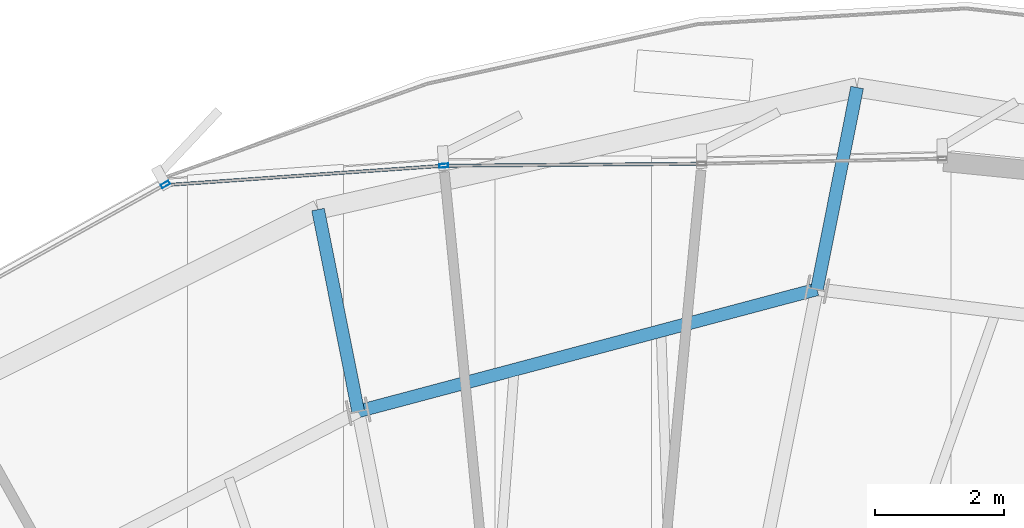
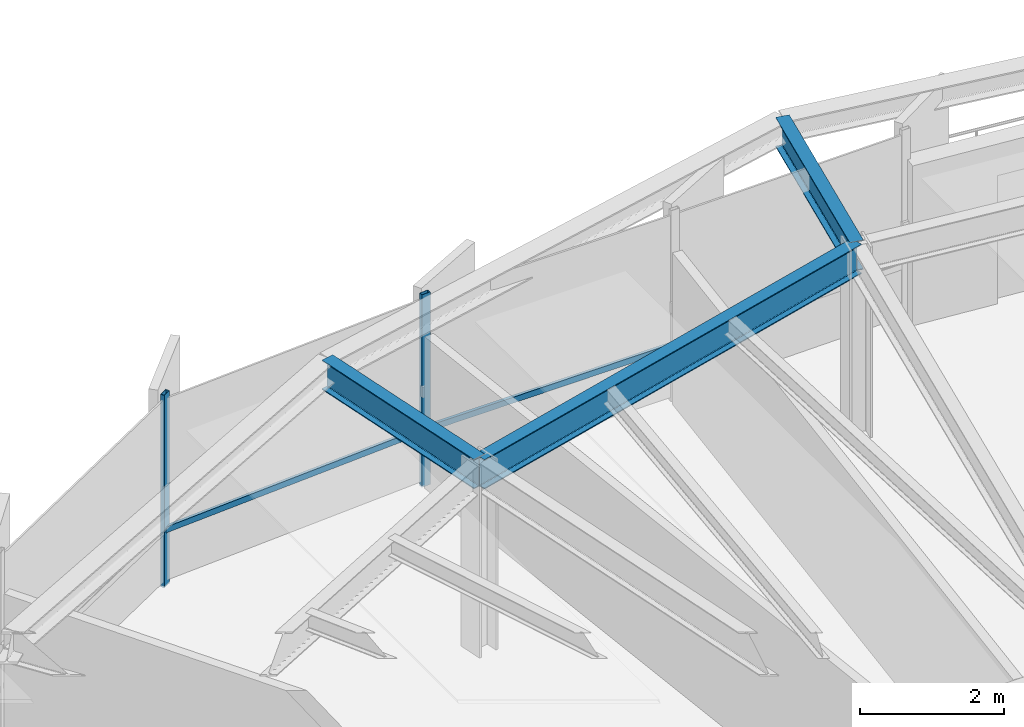
# One storey, part 24 of 37: 4 members, 3 beams, 1 element without a shape of its own.
"""IFC4 building model written with IfcOpenShell, lengths in metres."""

from ifc_helpers import new_model, si_unit, direction, frame, origin, origin_2d, place, context, subcontext, project, spatial, hollow_rectangle, i_section, extrude, source, transform, mapped, material, layer, layer_set, material_profile, profile_set, type_object, element, aggregate, save


model = new_model("IFC4")

# Units and contexts
model_context = context("Model", 3, precision=1e-05, world=origin(), true_north=direction((0.0, 1.0)))
body_context = subcontext(model_context, "Body", "Model", "MODEL_VIEW")
ifc_project = project(units=[si_unit("LENGTHUNIT", "METRE"), si_unit("AREAUNIT", "SQUARE_METRE"), si_unit("VOLUMEUNIT", "CUBIC_METRE"), si_unit("PLANEANGLEUNIT", "RADIAN"), si_unit("MASSUNIT", "GRAM", prefix="KILO"), si_unit("THERMODYNAMICTEMPERATUREUNIT", "KELVIN")], contexts=[model_context])

# Site, building, storey
site_placement = place(None, origin())
site = spatial("IfcSite", under=ifc_project, at=site_placement, CompositionType="ELEMENT")
building_placement = place(site_placement, origin())
building = spatial("IfcBuilding", under=site, at=building_placement, Name="Kethvar Cultural Tower", CompositionType="ELEMENT")
storey_placement = place(building_placement, frame((0.0, 0.0, 200.89990234375)))
storey = spatial("IfcBuildingStorey", under=building, at=storey_placement, Name="L52", CompositionType="ELEMENT", Elevation=200.89990234375)

# Beams
ifc_material_1 = material(Name="Steel S355J2", Category="steel")
ifc_material_profile_1 = material_profile(ifc_material_1, i_section(OverallWidth=0.199951171875, OverallDepth=0.5, WebThickness=0.01025390625, FlangeThickness=0.01611328125, FilletRadius=0.02099609375, at=origin_2d()), Name="Steel S355J2 — IPE500")
ifc_profile_set_1 = profile_set([ifc_material_profile_1], Name="Steel S355J2 — IPE500")
beam_type = type_object("IfcBeamType", Name="BM-IPE500", PredefinedType="BEAM", material=ifc_profile_set_1)
shared_shape_1 = source(origin(), body_context, "Body", "SweptSolid", [
    extrude(i_section(OverallWidth=0.199951171875, OverallDepth=0.5, WebThickness=0.01025390625, FlangeThickness=0.01611328125, FilletRadius=0.02099609375, at=origin_2d()), origin(), (0.0, 0.0, 1.0), 3.199951171875),
])
for number, where, z_axis, x_axis, name in (
    (1, (50.556884765625, 46.6875, 3.008056640625), (0.195088965533, 0.980785550224, 0.0), (-0.980785550224, 0.195088965533, 0.0), "L52 Perimeter Cantilever Beam RC-04"),
    (2, (43.420654296875, 44.789306640625, 3.008056640625), (-0.195088965533, 0.980785550224, 0.0), (-0.980785550224, -0.195088965533, 0.0), "L52 Perimeter Cantilever Beam RC-05"),
):
    element("IfcBeam", number, at=place(storey_placement, frame(where, z_axis=z_axis, x_axis=x_axis)), inside=storey, type_object=beam_type, Name=name, PredefinedType="BEAM", context=body_context, shape_type="MappedRepresentation", body=[
        mapped(shared_shape_1, transform((0.0, 0.0, 0.0), scale=1.0)),
    ])
shared_shape_2 = source(origin(), body_context, "Body", "SweptSolid", [
    extrude(i_section(OverallWidth=0.199951171875, OverallDepth=0.5, WebThickness=0.01025390625, FlangeThickness=0.01611328125, FilletRadius=0.02099609375, at=origin_2d()), origin(), (0.0, 0.0, 1.0), 7.38427734375),
])
beam_placement = place(storey_placement, frame((50.556884765625, 46.6875, 3.008056640625), z_axis=(-0.966396628298, -0.257055552002, 0.0), x_axis=(0.257055552002, -0.966396628298, 0.0)))
element("IfcBeam", 3, at=beam_placement, inside=storey, type_object=beam_type, Name="L52 Column Ring Tie Beam CR-04", PredefinedType="BEAM", context=body_context, shape_type="MappedRepresentation", body=[
    mapped(shared_shape_2, transform((0.0, 0.0, 0.0), scale=1.0)),
])

# Curtain wall, members
ifc_material_2 = material(Name="Aluminium 6063-T6", Category="aluminium")
ifc_layer = layer(ifc_material_2, 0.179931640625, Name="Aluminium 6063-T6", Category="aluminium")
ifc_layer_set = layer_set([ifc_layer], Name="Aluminium 6063-T6 (180 mm)")
curtain_wall_type = type_object("IfcCurtainWallType", Name="CW-SYS-04-Z34", PredefinedType="NOTDEFINED", material=ifc_layer_set)
curtain_wall_placement = place(storey_placement, origin())
curtain_wall = element("IfcCurtainWall", 4, at=curtain_wall_placement, inside=storey, type_object=curtain_wall_type, Name="L52 Curtain Wall Run 02", PredefinedType="NOTDEFINED")
ifc_material_profile_2 = material_profile(ifc_material_2, hollow_rectangle(XDim=0.06005859375, YDim=0.139892578125, WallThickness=0.0048828125, at=origin_2d()), Name="Aluminium 6063-T6 — RHS140x60x5")
ifc_profile_set_2 = profile_set([ifc_material_profile_2], Name="Aluminium 6063-T6 — RHS140x60x5")
member_type_1 = type_object("IfcMemberType", Name="CW-SYS-04-Z34-MUL", PredefinedType="MULLION", material=ifc_profile_set_2)
shared_shape_3 = source(origin(), body_context, "Body", "SweptSolid", [
    extrude(hollow_rectangle(XDim=0.06005859375, YDim=0.139892578125, WallThickness=0.0048828125, at=origin_2d()), origin(), (0.0, 0.0, 1.0), 3.260009765625),
])
member_1_placement = place(storey_placement, frame((44.752197265625, 48.609375, 0.0), z_axis=(0.0, 0.0, 1.0), x_axis=(0.069495309699, -0.997582278276, 0.0)))
member_1 = element("IfcMember", 5, at=member_1_placement, type_object=member_type_1, Name="CW-L52-R02 Mullion 3", PredefinedType="MULLION", context=body_context, shape_type="MappedRepresentation", body=[
    mapped(shared_shape_3, transform((0.0, 0.0, 0.0), scale=1.0)),
])
member_2_placement = place(storey_placement, frame((40.422607421875, 48.318115234375, 0.0), z_axis=(0.0, 0.0, 1.0), x_axis=(0.486853801639, -0.873483471984, 0.0)))
member_2 = element("IfcMember", 6, at=member_2_placement, type_object=member_type_1, Name="CW-L52-R02 Mullion 4", PredefinedType="MULLION", context=body_context, shape_type="MappedRepresentation", body=[
    mapped(shared_shape_3, transform((0.0, 0.0, 0.0), scale=1.0)),
])
ifc_material_profile_3 = material_profile(ifc_material_2, hollow_rectangle(XDim=0.050048828125, YDim=0.10009765625, WallThickness=0.00390625, at=origin_2d()), Name="Aluminium 6063-T6 — RHS100x50x4")
ifc_profile_set_3 = profile_set([ifc_material_profile_3], Name="Aluminium 6063-T6 — RHS100x50x4")
member_type_2 = type_object("IfcMemberType", Name="CW-SYS-04-Z34-TRN", PredefinedType="USERDEFINED", material=ifc_profile_set_3)
shared_shape_4 = source(origin(), body_context, "Body", "SweptSolid", [
    extrude(hollow_rectangle(XDim=0.050048828125, YDim=0.10009765625, WallThickness=0.00390625, at=origin_2d()), origin(), (0.0, 0.0, 1.0), 3.93212890625),
])
member_3_placement = place(storey_placement, frame((48.720703125, 48.639404296875, 0.9501953125), z_axis=(-0.999970840113, -0.00763668281, 0.0), x_axis=(0.00763668281, -0.999970840113, 0.0)))
member_3 = element("IfcMember", 7, at=member_3_placement, type_object=member_type_2, Name="CW-L52-R02 Transom 2", ObjectType="TRANSOM", PredefinedType="USERDEFINED", context=body_context, shape_type="MappedRepresentation", body=[
    mapped(shared_shape_4, transform((0.0, 0.0, 0.0), scale=1.0)),
])
shared_shape_5 = source(origin(), body_context, "Body", "SweptSolid", [
    extrude(hollow_rectangle(XDim=0.050048828125, YDim=0.10009765625, WallThickness=0.00390625, at=origin_2d()), origin(), (0.0, 0.0, 1.0), 4.2998046875),
])
member_4_placement = place(storey_placement, frame((44.708984375, 48.606201171875, 0.9501953125), z_axis=(-0.997585907129, -0.069443199068, 0.0), x_axis=(0.069443199068, -0.997585907129, 0.0)))
member_4 = element("IfcMember", 8, at=member_4_placement, type_object=member_type_2, Name="CW-L52-R02 Transom 3", ObjectType="TRANSOM", PredefinedType="USERDEFINED", context=body_context, shape_type="MappedRepresentation", body=[
    mapped(shared_shape_5, transform((0.0, 0.0, 0.0), scale=1.0)),
])
aggregate(curtain_wall, [member_1, member_2, member_3, member_4])

save(model, "model.ifc")
